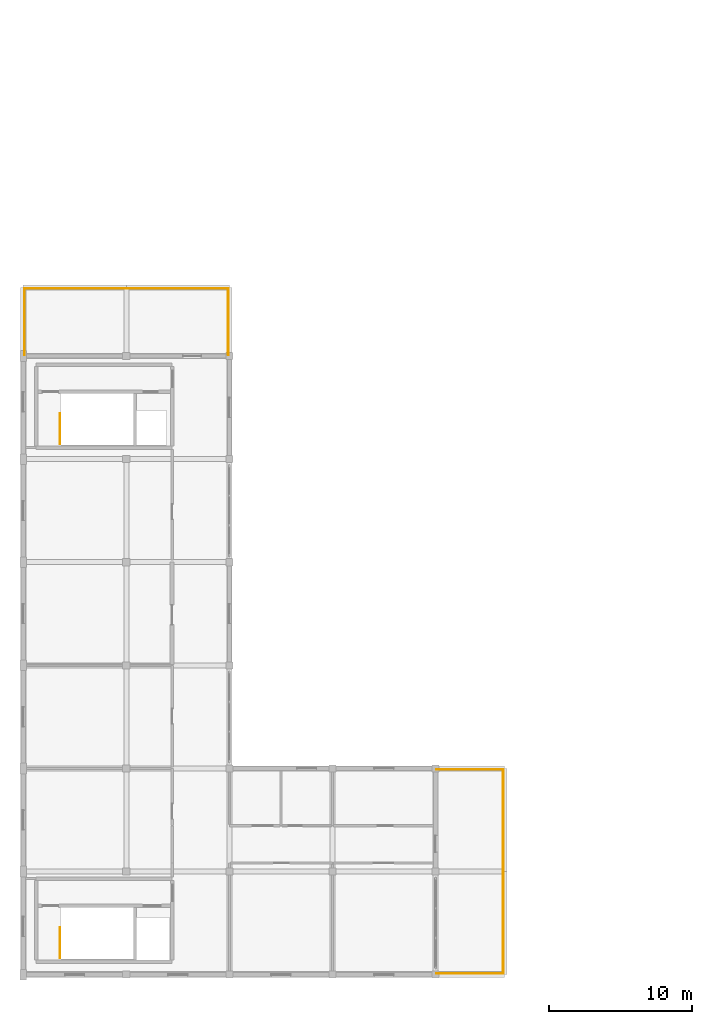
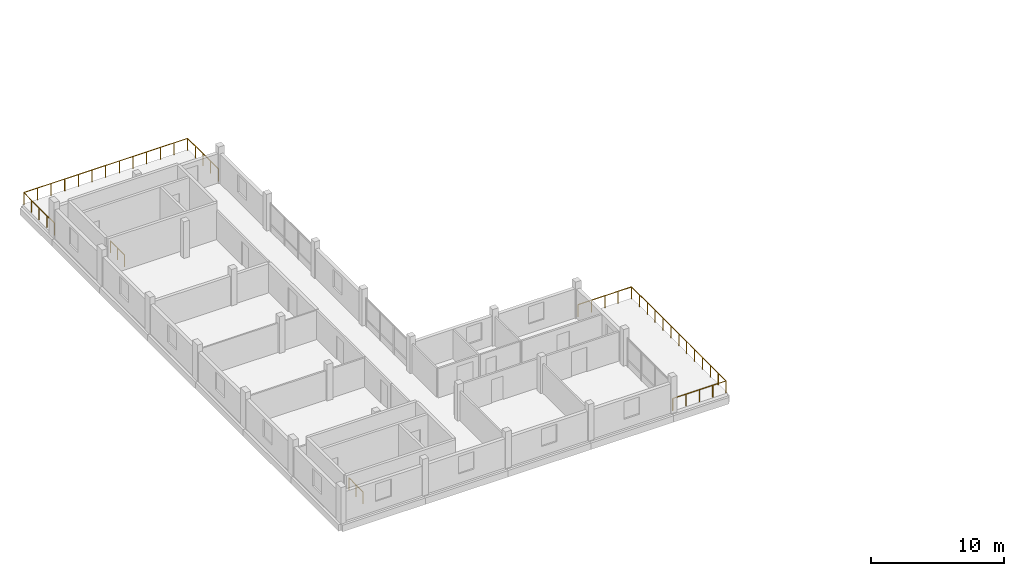
# One storey, part 17 of 18: 8 railings.
"""IFC4 building model written with IfcOpenShell, lengths in metres."""

from ifc_helpers import new_model, si_unit, direction, frame, origin, origin_2d, place, context, subcontext, project, spatial, circle, extrude, material, type_object, element, save


model = new_model("IFC4")

# Units and contexts
model_context = context("Model", 3, precision=1e-05, world=origin(), true_north=direction((0.0, 1.0)))
body_context = subcontext(model_context, "Body", "Model", "MODEL_VIEW")
ifc_project = project(units=[si_unit("LENGTHUNIT", "METRE"), si_unit("AREAUNIT", "SQUARE_METRE"), si_unit("VOLUMEUNIT", "CUBIC_METRE"), si_unit("PLANEANGLEUNIT", "RADIAN"), si_unit("MASSUNIT", "GRAM", prefix="KILO")], contexts=[model_context])

# Site, building, storey
site_placement = place(None, origin())
site = spatial("IfcSite", under=ifc_project, at=site_placement, CompositionType="ELEMENT")
building_placement = place(site_placement, origin())
building = spatial("IfcBuilding", under=site, at=building_placement, Name="Zornivar Specialist Clinic", CompositionType="ELEMENT")
storey_placement = place(building_placement, frame((0.0, 0.0, 23.39990234375)))
storey = spatial("IfcBuildingStorey", under=building, at=storey_placement, Name="L06", CompositionType="ELEMENT", Elevation=23.39990234375)

# Railings
ifc_material_1 = material(Name="Brushed Stainless Steel Stair Guardrail", Category="steel")
railing_type_1 = type_object("IfcRailingType", Name="GRD-INT-STAIR-1100", PredefinedType="GUARDRAIL", material=ifc_material_1)
railing_1_placement = place(storey_placement, frame((2.570068359375, 1.159912109375, 0.0)))
element("IfcRailing", 1, at=railing_1_placement, inside=storey, type_object=railing_type_1, Name="sg:C1:L06:topwell", PredefinedType="GUARDRAIL", context=body_context, shape_type="SweptSolid", body=[
    extrude(circle(Radius=0.02392578125, at=origin_2d()), frame((0.0, 0.0, 1.076171875), z_axis=(0.0, 1.0, 0.0), x_axis=(-1.0, 0.0, 0.0)), (0.0, 0.0, 1.0), 2.1201171875),
    extrude(circle(Radius=0.02099609375, at=origin_2d()), origin(), (0.0, 0.0, 1.0), 1.052001953125),
    extrude(circle(Radius=0.02099609375, at=origin_2d()), frame((0.0, 1.06005859375, 0.0)), (0.0, 0.0, 1.0), 1.052001953125),
    extrude(circle(Radius=0.02099609375, at=origin_2d()), frame((0.0, 2.1201171875, 0.0)), (0.0, 0.0, 1.0), 1.052001953125),
])
railing_2_placement = place(storey_placement, frame((2.570068359375, 37.06005859375, 0.0)))
element("IfcRailing", 2, at=railing_2_placement, inside=storey, type_object=railing_type_1, Name="sg:C2:L06:topwell", PredefinedType="GUARDRAIL", context=body_context, shape_type="SweptSolid", body=[
    extrude(circle(Radius=0.02392578125, at=origin_2d()), frame((0.0, 0.0, 1.076171875), z_axis=(0.0, 1.0, 0.0), x_axis=(-1.0, 0.0, 0.0)), (0.0, 0.0, 1.0), 2.119873046875),
    extrude(circle(Radius=0.02099609375, at=origin_2d()), origin(), (0.0, 0.0, 1.0), 1.052001953125),
    extrude(circle(Radius=0.02099609375, at=origin_2d()), frame((0.0, 1.06005859375, 0.0)), (0.0, 0.0, 1.0), 1.052001953125),
    extrude(circle(Radius=0.02099609375, at=origin_2d()), frame((0.0, 2.119873046875, 0.0)), (0.0, 0.0, 1.0), 1.052001953125),
])
ifc_material_2 = material(Name="Anodised Bronze Terrace Guardrail")
railing_type_2 = type_object("IfcRailingType", Name="GRD-TERR-GUARD-1120", PredefinedType="GUARDRAIL", material=ifc_material_2)
railing_3_placement = place(storey_placement, frame((14.320068359375, 43.280029296875, 0.0)))
element("IfcRailing", 3, at=railing_3_placement, inside=storey, type_object=railing_type_2, Name="rail:V2:L06:terr:0:1", PredefinedType="GUARDRAIL", context=body_context, shape_type="SweptSolid", body=[
    extrude(circle(Radius=0.02392578125, at=origin_2d()), frame((0.0, 0.0, 1.09619140625), z_axis=(0.0, 1.0, 0.0), x_axis=(-1.0, 0.0, 0.0)), (0.0, 0.0, 1.0), 4.639892578125),
    extrude(circle(Radius=0.02099609375, at=origin_2d()), origin(), (0.0, 0.0, 1.0), 1.072021484375),
    extrude(circle(Radius=0.02099609375, at=origin_2d()), frame((0.0, 1.159912109375, 0.0)), (0.0, 0.0, 1.0), 1.072021484375),
    extrude(circle(Radius=0.02099609375, at=origin_2d()), frame((0.0, 2.31982421875, 0.0)), (0.0, 0.0, 1.0), 1.072021484375),
    extrude(circle(Radius=0.02099609375, at=origin_2d()), frame((0.0, 3.47998046875, 0.0)), (0.0, 0.0, 1.0), 1.072021484375),
    extrude(circle(Radius=0.02099609375, at=origin_2d()), frame((0.0, 4.639892578125, 0.0)), (0.0, 0.0, 1.0), 1.072021484375),
])
railing_4_placement = place(storey_placement, frame((14.320068359375, 47.919921875, 0.0)))
element("IfcRailing", 4, at=railing_4_placement, inside=storey, type_object=railing_type_2, Name="rail:V2:L06:terr:0:2", PredefinedType="GUARDRAIL", context=body_context, shape_type="SweptSolid", body=[
    extrude(circle(Radius=0.02392578125, at=origin_2d()), frame((0.0, 0.0, 1.09619140625), z_axis=(-1.0, 0.0, 0.0), x_axis=(0.0, -1.0, 0.0)), (0.0, 0.0, 1.0), 14.239990234375),
    extrude(circle(Radius=0.02099609375, at=origin_2d()), origin(), (0.0, 0.0, 1.0), 1.072021484375),
    extrude(circle(Radius=0.02099609375, at=origin_2d()), frame((-1.186767578125, 0.0, 0.0)), (0.0, 0.0, 1.0), 1.072021484375),
    extrude(circle(Radius=0.02099609375, at=origin_2d()), frame((-2.373291015625, 0.0, 0.0)), (0.0, 0.0, 1.0), 1.072021484375),
    extrude(circle(Radius=0.02099609375, at=origin_2d()), frame((-3.56005859375, 0.0, 0.0)), (0.0, 0.0, 1.0), 1.072021484375),
    extrude(circle(Radius=0.02099609375, at=origin_2d()), frame((-4.74658203125, 0.0, 0.0)), (0.0, 0.0, 1.0), 1.072021484375),
    extrude(circle(Radius=0.02099609375, at=origin_2d()), frame((-5.933349609375, 0.0, 0.0)), (0.0, 0.0, 1.0), 1.072021484375),
    extrude(circle(Radius=0.02099609375, at=origin_2d()), frame((-7.1201171875, 0.0, 0.0)), (0.0, 0.0, 1.0), 1.072021484375),
    extrude(circle(Radius=0.02099609375, at=origin_2d()), frame((-8.306640625, 0.0, 0.0)), (0.0, 0.0, 1.0), 1.072021484375),
    extrude(circle(Radius=0.02099609375, at=origin_2d()), frame((-9.493408203125, 0.0, 0.0)), (0.0, 0.0, 1.0), 1.072021484375),
    extrude(circle(Radius=0.02099609375, at=origin_2d()), frame((-10.679931640625, 0.0, 0.0)), (0.0, 0.0, 1.0), 1.072021484375),
    extrude(circle(Radius=0.02099609375, at=origin_2d()), frame((-11.86669921875, 0.0, 0.0)), (0.0, 0.0, 1.0), 1.072021484375),
    extrude(circle(Radius=0.02099609375, at=origin_2d()), frame((-13.05322265625, 0.0, 0.0)), (0.0, 0.0, 1.0), 1.072021484375),
    extrude(circle(Radius=0.02099609375, at=origin_2d()), frame((-14.239990234375, 0.0, 0.0)), (0.0, 0.0, 1.0), 1.072021484375),
])
railing_5_placement = place(storey_placement, frame((0.080078125, 47.919921875, 0.0)))
element("IfcRailing", 5, at=railing_5_placement, inside=storey, type_object=railing_type_2, Name="rail:V2:L06:terr:0:3", PredefinedType="GUARDRAIL", context=body_context, shape_type="SweptSolid", body=[
    extrude(circle(Radius=0.02392578125, at=origin_2d()), frame((0.0, 0.0, 1.09619140625), z_axis=(0.0, -1.0, 0.0), x_axis=(1.0, 0.0, 0.0)), (0.0, 0.0, 1.0), 4.639892578125),
    extrude(circle(Radius=0.02099609375, at=origin_2d()), origin(), (0.0, 0.0, 1.0), 1.072021484375),
    extrude(circle(Radius=0.02099609375, at=origin_2d()), frame((0.0, -1.159912109375, 0.0)), (0.0, 0.0, 1.0), 1.072021484375),
    extrude(circle(Radius=0.02099609375, at=origin_2d()), frame((0.0, -2.31982421875, 0.0)), (0.0, 0.0, 1.0), 1.072021484375),
    extrude(circle(Radius=0.02099609375, at=origin_2d()), frame((0.0, -3.47998046875, 0.0)), (0.0, 0.0, 1.0), 1.072021484375),
    extrude(circle(Radius=0.02099609375, at=origin_2d()), frame((0.0, -4.639892578125, 0.0)), (0.0, 0.0, 1.0), 1.072021484375),
])
railing_6_placement = place(storey_placement, frame((28.8798828125, 0.080078125, 0.0)))
element("IfcRailing", 6, at=railing_6_placement, inside=storey, type_object=railing_type_2, Name="rail:V2:L06:terr:1:0", PredefinedType="GUARDRAIL", context=body_context, shape_type="SweptSolid", body=[
    extrude(circle(Radius=0.02392578125, at=origin_2d()), frame((0.0, 0.0, 1.09619140625), z_axis=(1.0, 0.0, 0.0), x_axis=(0.0, 1.0, 0.0)), (0.0, 0.0, 1.0), 4.64013671875),
    extrude(circle(Radius=0.02099609375, at=origin_2d()), origin(), (0.0, 0.0, 1.0), 1.072021484375),
    extrude(circle(Radius=0.02099609375, at=origin_2d()), frame((1.16015625, 0.0, 0.0)), (0.0, 0.0, 1.0), 1.072021484375),
    extrude(circle(Radius=0.02099609375, at=origin_2d()), frame((2.320068359375, 0.0, 0.0)), (0.0, 0.0, 1.0), 1.072021484375),
    extrude(circle(Radius=0.02099609375, at=origin_2d()), frame((3.47998046875, 0.0, 0.0)), (0.0, 0.0, 1.0), 1.072021484375),
    extrude(circle(Radius=0.02099609375, at=origin_2d()), frame((4.64013671875, 0.0, 0.0)), (0.0, 0.0, 1.0), 1.072021484375),
])
railing_7_placement = place(storey_placement, frame((33.52001953125, 0.080078125, 0.0)))
element("IfcRailing", 7, at=railing_7_placement, inside=storey, type_object=railing_type_2, Name="rail:V2:L06:terr:1:1", PredefinedType="GUARDRAIL", context=body_context, shape_type="SweptSolid", body=[
    extrude(circle(Radius=0.02392578125, at=origin_2d()), frame((0.0, 0.0, 1.09619140625), z_axis=(0.0, 1.0, 0.0), x_axis=(-1.0, 0.0, 0.0)), (0.0, 0.0, 1.0), 14.239990234375),
    extrude(circle(Radius=0.02099609375, at=origin_2d()), origin(), (0.0, 0.0, 1.0), 1.072021484375),
    extrude(circle(Radius=0.02099609375, at=origin_2d()), frame((0.0, 1.186767578125, 0.0)), (0.0, 0.0, 1.0), 1.072021484375),
    extrude(circle(Radius=0.02099609375, at=origin_2d()), frame((0.0, 2.373291015625, 0.0)), (0.0, 0.0, 1.0), 1.072021484375),
    extrude(circle(Radius=0.02099609375, at=origin_2d()), frame((0.0, 3.56005859375, 0.0)), (0.0, 0.0, 1.0), 1.072021484375),
    extrude(circle(Radius=0.02099609375, at=origin_2d()), frame((0.0, 4.74658203125, 0.0)), (0.0, 0.0, 1.0), 1.072021484375),
    extrude(circle(Radius=0.02099609375, at=origin_2d()), frame((0.0, 5.933349609375, 0.0)), (0.0, 0.0, 1.0), 1.072021484375),
    extrude(circle(Radius=0.02099609375, at=origin_2d()), frame((0.0, 7.1201171875, 0.0)), (0.0, 0.0, 1.0), 1.072021484375),
    extrude(circle(Radius=0.02099609375, at=origin_2d()), frame((0.0, 8.306640625, 0.0)), (0.0, 0.0, 1.0), 1.072021484375),
    extrude(circle(Radius=0.02099609375, at=origin_2d()), frame((0.0, 9.493408203125, 0.0)), (0.0, 0.0, 1.0), 1.072021484375),
    extrude(circle(Radius=0.02099609375, at=origin_2d()), frame((0.0, 10.679931640625, 0.0)), (0.0, 0.0, 1.0), 1.072021484375),
    extrude(circle(Radius=0.02099609375, at=origin_2d()), frame((0.0, 11.86669921875, 0.0)), (0.0, 0.0, 1.0), 1.072021484375),
    extrude(circle(Radius=0.02099609375, at=origin_2d()), frame((0.0, 13.05322265625, 0.0)), (0.0, 0.0, 1.0), 1.072021484375),
    extrude(circle(Radius=0.02099609375, at=origin_2d()), frame((0.0, 14.239990234375, 0.0)), (0.0, 0.0, 1.0), 1.072021484375),
])
railing_8_placement = place(storey_placement, frame((33.52001953125, 14.320068359375, 0.0)))
element("IfcRailing", 8, at=railing_8_placement, inside=storey, type_object=railing_type_2, Name="rail:V2:L06:terr:1:2", PredefinedType="GUARDRAIL", context=body_context, shape_type="SweptSolid", body=[
    extrude(circle(Radius=0.02392578125, at=origin_2d()), frame((0.0, 0.0, 1.09619140625), z_axis=(-1.0, 0.0, 0.0), x_axis=(0.0, -1.0, 0.0)), (0.0, 0.0, 1.0), 4.64013671875),
    extrude(circle(Radius=0.02099609375, at=origin_2d()), origin(), (0.0, 0.0, 1.0), 1.072021484375),
    extrude(circle(Radius=0.02099609375, at=origin_2d()), frame((-1.16015625, 0.0, 0.0)), (0.0, 0.0, 1.0), 1.072021484375),
    extrude(circle(Radius=0.02099609375, at=origin_2d()), frame((-2.320068359375, 0.0, 0.0)), (0.0, 0.0, 1.0), 1.072021484375),
    extrude(circle(Radius=0.02099609375, at=origin_2d()), frame((-3.47998046875, 0.0, 0.0)), (0.0, 0.0, 1.0), 1.072021484375),
    extrude(circle(Radius=0.02099609375, at=origin_2d()), frame((-4.64013671875, 0.0, 0.0)), (0.0, 0.0, 1.0), 1.072021484375),
])

save(model, "model.ifc")
